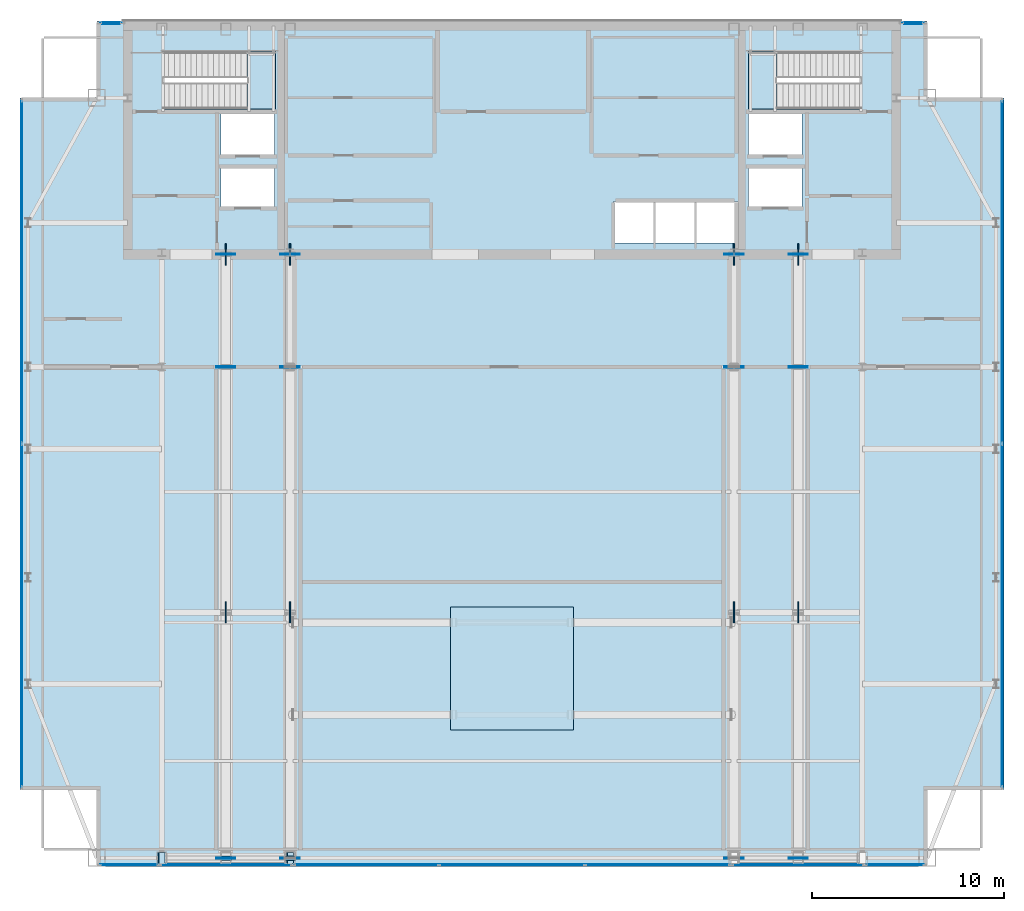
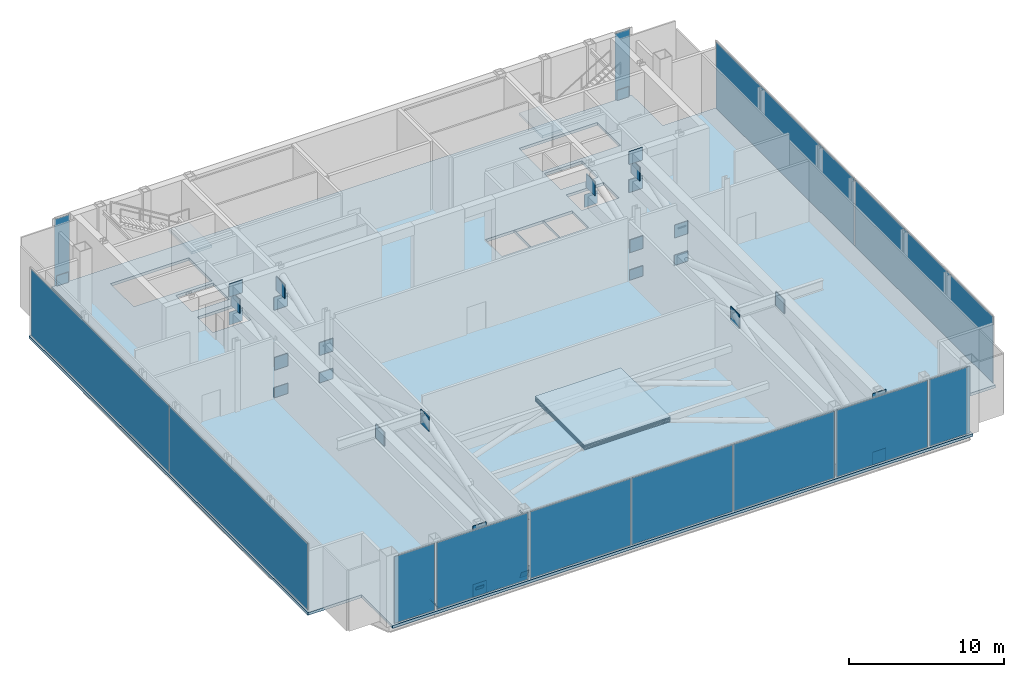
# One storey, part 21 of 26: 52 plates, 3 slabs, 11 elements without a shape of their own.
"""IFC4 building model written with IfcOpenShell, lengths in metres."""

import ifcopenshell
import ifcopenshell.guid

model = None  # the IFC model being written
_history = None  # IfcOwnerHistory: only IFC2X3 demands one
_inside = {}  # id of a spatial element -> (the spatial element, [elements in it])
_under = {}  # id of a project, library or spatial element -> (it, [spatial elements below it])
_declared = {}  # id of a project -> (the project, [libraries it declares])
_typed = {}  # id of a type object -> (the type object, [elements of that type])
_made_of = {}  # id of a material, layer set ... -> (it, [elements and type objects made of it])


def new_model(schema):
    """Start an empty IFC model of exactly this schema.

    Asked for "IFC4X3", IfcOpenShell would pick the latest addendum, in which some entities
    have other attributes; the version numbers below select the first issue.
    IFC2X3 requires an IfcOwnerHistory on every rooted entity: one is made here for all.
    """
    global model, _history
    if schema == "IFC4X3":
        model = ifcopenshell.file(schema_version=(4, 3, 0, 0))
    else:
        model = ifcopenshell.file(schema=schema)
    _inside.clear()
    _under.clear()
    _declared.clear()
    _typed.clear()
    _made_of.clear()
    _history = None
    if model.schema == "IFC2X3":
        org = make("IfcOrganization", Name="unknown")
        user = make(
            "IfcPersonAndOrganization",
            ThePerson=make("IfcPerson", FamilyName="unknown"),
            TheOrganization=org,
        )
        app = make(
            "IfcApplication",
            ApplicationDeveloper=org,
            Version="unknown",
            ApplicationFullName="unknown",
            ApplicationIdentifier="unknown",
        )
        _history = make(
            "IfcOwnerHistory",
            OwningUser=user,
            OwningApplication=app,
            ChangeAction="ADDED",
            CreationDate=0,
        )
    return model


def make(cls, **values):
    """One entity of the class cls with the attributes given. An attribute that is None is left unset."""
    return model.create_entity(
        cls, **{name: value for name, value in values.items() if value is not None}
    )


def rooted(cls, **values):
    """An entity with a GlobalId (a new one), such as an element, a storey or a relation."""
    return make(cls, GlobalId=ifcopenshell.guid.new(), OwnerHistory=_history, **values)


def si_unit(unit_type, name, prefix=None):
    """IfcSIUnit, for example si_unit("LENGTHUNIT", "METRE", prefix="MILLI")."""
    return make("IfcSIUnit", UnitType=unit_type, Prefix=prefix, Name=name)


def assignment(units):
    """IfcUnitAssignment: the units of a project."""
    return None if units is None else make("IfcUnitAssignment", Units=units)


def point(xyz):
    """IfcCartesianPoint."""
    return None if xyz is None else make("IfcCartesianPoint", Coordinates=xyz)


def direction(xyz):
    """IfcDirection."""
    return None if xyz is None else make("IfcDirection", DirectionRatios=xyz)


def frame(location, z_axis=None, x_axis=None):
    """IfcAxis2Placement3D, a coordinate frame: its origin and axes. An axis left out is left unset."""
    return make(
        "IfcAxis2Placement3D",
        Location=point(location),
        Axis=direction(z_axis),
        RefDirection=direction(x_axis),
    )


def frame_2d(location, x_axis=None):
    """IfcAxis2Placement2D, a coordinate frame in the plane: its origin and x axis."""
    return make(
        "IfcAxis2Placement2D", Location=point(location), RefDirection=direction(x_axis)
    )


def origin():
    """The frame at (0, 0, 0) with its axes left unset."""
    return frame((0.0, 0.0, 0.0))


def origin_2d():
    """The frame at (0, 0) in the plane with its x axis left unset."""
    return frame_2d((0.0, 0.0))


def place(relative_to, where):
    """IfcLocalPlacement: puts the frame where relative to a parent placement (None: the world)."""
    return make(
        "IfcLocalPlacement", PlacementRelTo=relative_to, RelativePlacement=where
    )


def context(
    kind, dimensions, precision=None, world=None, true_north=None, identifier=None
):
    """IfcGeometricRepresentationContext, for example the 3D "Model" context."""
    return make(
        "IfcGeometricRepresentationContext",
        ContextIdentifier=identifier,
        ContextType=kind,
        CoordinateSpaceDimension=dimensions,
        Precision=precision,
        WorldCoordinateSystem=world,
        TrueNorth=true_north,
    )


def subcontext(parent, identifier, kind, view, scale=None):
    """IfcGeometricRepresentationSubContext, for example "Body" below "Model"."""
    return make(
        "IfcGeometricRepresentationSubContext",
        ContextIdentifier=identifier,
        ContextType=kind,
        ParentContext=parent,
        TargetScale=scale,
        TargetView=view,
    )


def project(units=None, contexts=None):
    """IfcProject with its units and contexts."""
    return rooted(
        "IfcProject",
        Name="project",
        RepresentationContexts=contexts,
        UnitsInContext=assignment(units),
    )


def spatial(cls, under=None, at=None, **own):
    """A site, building, storey or space (cls), placed at a placement, below another one or the project."""
    s = rooted(cls, ObjectPlacement=at, **own)
    if under is not None:
        _under.setdefault(under.id(), (under, []))[1].append(s)
    return s


def polyline(points):
    """IfcPolyline through the points."""
    return make("IfcPolyline", Points=[point(p) for p in points])


def profile(cls, at=None, kind="AREA", **sizes):
    """A parametric profile (cls). Its sizes go by their IFC names, for example OverallWidth=200.0."""
    return make(cls, ProfileType=kind, Position=at, **sizes)


def rectangle(**sizes):
    """IfcRectangleProfileDef."""
    return profile("IfcRectangleProfileDef", **sizes)


def outline(outer, holes=None, kind="AREA"):
    """IfcArbitraryClosedProfileDef: a profile drawn as a closed curve; with holes, ...WithVoids."""
    if holes is None:
        return make("IfcArbitraryClosedProfileDef", ProfileType=kind, OuterCurve=outer)
    return make(
        "IfcArbitraryProfileDefWithVoids",
        ProfileType=kind,
        OuterCurve=outer,
        InnerCurves=holes,
    )


def extrude(swept, where, along, depth):
    """IfcExtrudedAreaSolid: the profile swept, set in the frame where, extruded along a direction by depth."""
    return make(
        "IfcExtrudedAreaSolid",
        SweptArea=swept,
        Position=where,
        ExtrudedDirection=direction(along),
        Depth=depth,
    )


def shape(context_of_items, identifier, shape_type, items):
    """IfcShapeRepresentation: the items that make up one representation, for example the "Body"."""
    return make(
        "IfcShapeRepresentation",
        ContextOfItems=context_of_items,
        RepresentationIdentifier=identifier,
        RepresentationType=shape_type,
        Items=items,
    )


def material(Name=None, Category=None):
    """IfcMaterial."""
    return make("IfcMaterial", Name=Name, Category=Category)


def layer(
    of_material, thickness, ventilated=None, Name=None, Category=None, Priority=None
):
    """IfcMaterialLayer: one layer of a wall or slab, of a material (None: an air gap)."""
    return make(
        "IfcMaterialLayer",
        Material=of_material,
        LayerThickness=thickness,
        IsVentilated=ventilated,
        Name=Name,
        Category=Category,
        Priority=Priority,
    )


def layer_set(layers, Name=None):
    """IfcMaterialLayerSet."""
    return make("IfcMaterialLayerSet", MaterialLayers=layers, LayerSetName=Name)


def made_of(thing, what):
    """Note that an element or type object is made of a material, layer set ...; save() writes the relation."""
    if what is not None:
        _made_of.setdefault(what.id(), (what, []))[1].append(thing)
    return thing


def type_object(cls, material=None, **own):
    """A type object (cls), such as IfcWallType, which elements share."""
    return made_of(rooted(cls, **own), material)


def element(
    cls,
    number,
    at=None,
    inside=None,
    cuts=None,
    type_object=None,
    material=None,
    context=None,
    identifier="Body",
    shape_type=None,
    held_by="IfcProductDefinitionShape",
    body=None,
    shapes=None,
    **own,
):
    """One element of the class cls, such as IfcWall. Its Tag is "e" and its number.

    at: its placement. inside: the storey or other place that contains it. cuts: it is an
    opening in that element (IfcRelVoidsElement). A single representation is given by context,
    identifier, shape_type and body (its items); several are given by shapes. held_by: the class
    of the entity that holds the representations. save() writes the other relations.
    """
    e = rooted(cls, Tag="e%d" % number, ObjectPlacement=at, **own)
    if body is not None:
        shapes = [shape(context, identifier, shape_type, body)]
    if shapes is not None:
        e.Representation = make(held_by, Representations=shapes)
    if inside is not None:
        _inside.setdefault(inside.id(), (inside, []))[1].append(e)
    if cuts is not None:
        rooted(
            "IfcRelVoidsElement", RelatingBuildingElement=cuts, RelatedOpeningElement=e
        )
    if type_object is not None:
        _typed.setdefault(type_object.id(), (type_object, []))[1].append(e)
    return made_of(e, material)


def aggregate(whole, parts):
    """IfcRelAggregates: a whole, such as a stair, and the parts it consists of."""
    return rooted("IfcRelAggregates", RelatingObject=whole, RelatedObjects=parts)


def save(model, path):
    """Write the relations noted so far, then the file.

    IfcRelAggregates (storeys below a building ...), IfcRelContainedInSpatialStructure (elements
    in a storey), IfcRelDefinesByType, IfcRelAssociatesMaterial and IfcRelDeclares: one each for
    every whole, place, type object, material and project.
    """
    for whole, parts in _under.values():
        aggregate(whole, parts)
    for where, things in _inside.values():
        rooted(
            "IfcRelContainedInSpatialStructure",
            RelatedElements=things,
            RelatingStructure=where,
        )
    for kind, things in _typed.values():
        rooted("IfcRelDefinesByType", RelatedObjects=things, RelatingType=kind)
    for what, things in _made_of.values():
        rooted("IfcRelAssociatesMaterial", RelatedObjects=things, RelatingMaterial=what)
    for by, libraries in _declared.values():
        rooted("IfcRelDeclares", RelatingContext=by, RelatedDefinitions=libraries)
    model.write(path)


model = new_model("IFC4")

# Units and contexts
model_context = context("Model", 3, precision=1e-05, world=origin(), true_north=direction((0.0, 1.0)))
body_context = subcontext(model_context, "Body", "Model", "MODEL_VIEW")
ifc_project = project(units=[si_unit("LENGTHUNIT", "METRE"), si_unit("AREAUNIT", "SQUARE_METRE"), si_unit("VOLUMEUNIT", "CUBIC_METRE"), si_unit("PLANEANGLEUNIT", "RADIAN"), si_unit("MASSUNIT", "GRAM", prefix="KILO")], contexts=[model_context])

# Site, building, storey
site_placement = place(None, origin())
site = spatial("IfcSite", under=ifc_project, at=site_placement, CompositionType="ELEMENT")
building_placement = place(site_placement, origin())
building = spatial("IfcBuilding", under=site, at=building_placement, Name="Khoronbel Lancet Exchange", CompositionType="ELEMENT")
storey_placement = place(building_placement, frame((0.0, 0.0, 350.60009765625)))
storey = spatial("IfcBuildingStorey", under=building, at=storey_placement, Name="L91", CompositionType="ELEMENT", Elevation=350.60009765625)

# Curtain wall, plate
ifc_material_1 = material(Name="Low-E Solar Control Insulating Glass", Category="glass")
curtain_wall_type = type_object("IfcCurtainWallType", Name="CW-6", PredefinedType="NOTDEFINED", material=ifc_material_1)
curtain_wall_1_placement = place(storey_placement, origin())
curtain_wall_1 = element("IfcCurtainWall", 1, at=curtain_wall_1_placement, inside=storey, type_object=curtain_wall_type, Name="Unitised curtain wall CW-L91-NWFLK", PredefinedType="NOTDEFINED")
ifc_material_2 = material(Name="Bronze-Anodised Aluminium 6063-T6", Category="aluminium")
ifc_layer_1 = layer(ifc_material_2, 0.050048828125, Name="Bronze-Anodised Aluminium 6063-T6")
ifc_layer_set_1 = layer_set([ifc_layer_1], Name="Bronze-Anodised Aluminium 6063-T6")
plate_type_1 = type_object("IfcPlateType", Name="PLT-CSP1", PredefinedType="SHEET", material=ifc_layer_set_1)
plate_1_placement = place(storey_placement, frame((15.580078125, 53.550048828125, 0.0498046875), z_axis=(0.0, 0.0, 1.0), x_axis=(-1.0, 0.0, 0.0)))
plate_1 = element("IfcPlate", 2, at=plate_1_placement, type_object=plate_type_1, Name="Insulated bronze spandrel cassette CW-L91-NWFLK", PredefinedType="SHEET", context=body_context, shape_type="SweptSolid", body=[
    extrude(rectangle(XDim=0.89599609375, YDim=0.050048828125, at=origin_2d()), origin(), (0.0, 0.0, 1.0), 0.800048828125),
])

curtain_wall_2_placement = place(storey_placement, origin())
curtain_wall_2 = element("IfcCurtainWall", 3, at=curtain_wall_2_placement, inside=storey, type_object=curtain_wall_type, Name="Unitised curtain wall CW-L91-NEFLK", PredefinedType="NOTDEFINED")
plate_2_placement = place(storey_placement, frame((57.320068359375, 53.550048828125, 0.0498046875), z_axis=(0.0, 0.0, 1.0), x_axis=(-1.0, 0.0, 0.0)))
plate_2 = element("IfcPlate", 4, at=plate_2_placement, type_object=plate_type_1, Name="Insulated bronze spandrel cassette CW-L91-NEFLK", PredefinedType="SHEET", context=body_context, shape_type="SweptSolid", body=[
    extrude(rectangle(XDim=0.89599609375, YDim=0.050048828125, at=origin_2d()), origin(), (0.0, 0.0, 1.0), 0.800048828125),
])

curtain_wall_3_placement = place(storey_placement, origin())
curtain_wall_3 = element("IfcCurtainWall", 5, at=curtain_wall_3_placement, inside=storey, type_object=curtain_wall_type, Name="Unitised curtain wall CW-L91-SW-BLT", PredefinedType="NOTDEFINED")
plate_3_placement = place(storey_placement, frame((21.574951171875, 9.7900390625, 0.074951171875), z_axis=(0.0, 0.0, 1.0), x_axis=(1.0, 0.0, 0.0)))
plate_3 = element("IfcPlate", 6, at=plate_3_placement, type_object=plate_type_1, Name="CW6 panel 1.1", PredefinedType="CURTAIN_PANEL", context=body_context, shape_type="SweptSolid", body=[
    extrude(rectangle(XDim=6.800048828125, YDim=0.0380859375, at=origin_2d()), origin(), (0.0, 0.0, 1.0), 5.25),
])
aggregate(curtain_wall_3, [plate_3])

curtain_wall_4_placement = place(storey_placement, origin())
curtain_wall_4 = element("IfcCurtainWall", 7, at=curtain_wall_4_placement, inside=storey, type_object=curtain_wall_type, Name="Unitised curtain wall CW-L91-SE-BLT", PredefinedType="NOTDEFINED")
plate_4_placement = place(storey_placement, frame((51.324951171875, 9.7900390625, 0.074951171875), z_axis=(0.0, 0.0, 1.0), x_axis=(1.0, 0.0, 0.0)))
plate_4 = element("IfcPlate", 8, at=plate_4_placement, type_object=plate_type_1, Name="CW6 panel 1.1", PredefinedType="CURTAIN_PANEL", context=body_context, shape_type="SweptSolid", body=[
    extrude(rectangle(XDim=6.800048828125, YDim=0.0380859375, at=origin_2d()), origin(), (0.0, 0.0, 1.0), 5.25),
])
aggregate(curtain_wall_4, [plate_4])

# Curtain wall, plates
curtain_wall_5_placement = place(storey_placement, origin())
curtain_wall_5 = element("IfcCurtainWall", 9, at=curtain_wall_5_placement, inside=storey, type_object=curtain_wall_type, Name="Unitised curtain wall CW-L91-E03", PredefinedType="NOTDEFINED")
ifc_material_3 = material(Name="Ceramic-Fritted Laminated Insulating Glass", Category="glass")
ifc_layer_2 = layer(ifc_material_3, 0.0419921875, Name="Ceramic-Fritted Laminated Insulating Glass")
ifc_layer_set_2 = layer_set([ifc_layer_2], Name="Ceramic-Fritted Laminated Insulating Glass")
plate_type_2 = type_object("IfcPlateType", Name="PLT-CWP2", PredefinedType="CURTAIN_PANEL", material=ifc_layer_set_2)
plate_5_placement = place(storey_placement, frame((10.93994140625, 22.763671875, 0.0849609375), z_axis=(0.0, 0.0, 1.0), x_axis=(0.0, 1.0, 0.0)))
plate_5 = element("IfcPlate", 10, at=plate_5_placement, type_object=plate_type_2, Name="CW6 panel 1.1", PredefinedType="CURTAIN_PANEL", context=body_context, shape_type="SweptSolid", body=[
    extrude(rectangle(XDim=17.797607421875, YDim=0.0380859375, at=origin_2d()), origin(), (0.0, 0.0, 1.0), 5.22998046875),
])
plate_6_placement = place(storey_placement, frame((10.93994140625, 40.63623046875, 0.0849609375), z_axis=(0.0, 0.0, 1.0), x_axis=(0.0, 1.0, 0.0)))
plate_6 = element("IfcPlate", 11, at=plate_6_placement, type_object=plate_type_2, Name="CW6 panel 2.1", PredefinedType="CURTAIN_PANEL", context=body_context, shape_type="SweptSolid", body=[
    extrude(rectangle(XDim=17.797607421875, YDim=0.0380859375, at=origin_2d()), origin(), (0.0, 0.0, 1.0), 5.22998046875),
])
aggregate(curtain_wall_5, [plate_5, plate_6])

# Plate
plate_7_placement = place(storey_placement, frame((15.580078125, 53.610107421875, 0.0849609375), z_axis=(0.0, 0.0, 1.0), x_axis=(-1.0, 0.0, 0.0)))
plate_7 = element("IfcPlate", 12, at=plate_7_placement, type_object=plate_type_2, Name="CW6 panel 1.1", PredefinedType="CURTAIN_PANEL", context=body_context, shape_type="SweptSolid", body=[
    extrude(rectangle(XDim=1.110107421875, YDim=0.0380859375, at=origin_2d()), origin(), (0.0, 0.0, 1.0), 5.22998046875),
])

aggregate(curtain_wall_1, [plate_7, plate_1])

plate_8_placement = place(storey_placement, frame((57.320068359375, 53.610107421875, 0.0849609375), z_axis=(0.0, 0.0, 1.0), x_axis=(-1.0, 0.0, 0.0)))
plate_8 = element("IfcPlate", 13, at=plate_8_placement, type_object=plate_type_2, Name="CW6 panel 1.1", PredefinedType="CURTAIN_PANEL", context=body_context, shape_type="SweptSolid", body=[
    extrude(rectangle(XDim=1.110107421875, YDim=0.0380859375, at=origin_2d()), origin(), (0.0, 0.0, 1.0), 5.22998046875),
])

aggregate(curtain_wall_2, [plate_8, plate_2])

# Curtain wall, plates
curtain_wall_6_placement = place(storey_placement, origin())
curtain_wall_6 = element("IfcCurtainWall", 14, at=curtain_wall_6_placement, inside=storey, type_object=curtain_wall_type, Name="Unitised curtain wall CW-L91-E09", PredefinedType="NOTDEFINED")
plate_9_placement = place(storey_placement, frame((61.9599609375, 40.63623046875, 0.0849609375), z_axis=(0.0, 0.0, 1.0), x_axis=(0.0, -1.0, 0.0)))
plate_9 = element("IfcPlate", 15, at=plate_9_placement, type_object=plate_type_2, Name="CW6 panel 1.1", PredefinedType="CURTAIN_PANEL", context=body_context, shape_type="SweptSolid", body=[
    extrude(rectangle(XDim=17.797607421875, YDim=0.0380859375, at=origin_2d()), origin(), (0.0, 0.0, 1.0), 5.22998046875),
])
plate_10_placement = place(storey_placement, frame((61.9599609375, 22.763671875, 0.0849609375), z_axis=(0.0, 0.0, 1.0), x_axis=(0.0, -1.0, 0.0)))
plate_10 = element("IfcPlate", 16, at=plate_10_placement, type_object=plate_type_2, Name="CW6 panel 2.1", PredefinedType="CURTAIN_PANEL", context=body_context, shape_type="SweptSolid", body=[
    extrude(rectangle(XDim=17.797607421875, YDim=0.0380859375, at=origin_2d()), origin(), (0.0, 0.0, 1.0), 5.22998046875),
])
aggregate(curtain_wall_6, [plate_9, plate_10])

# Curtain wall, plate
curtain_wall_7_placement = place(storey_placement, origin())
curtain_wall_7 = element("IfcCurtainWall", 17, at=curtain_wall_7_placement, inside=storey, type_object=curtain_wall_type, Name="Unitised curtain wall CW-L91-SW-GLZ", PredefinedType="NOTDEFINED")
plate_11_placement = place(storey_placement, frame((16.52001953125, 9.7900390625, 0.074951171875), z_axis=(0.0, 0.0, 1.0), x_axis=(1.0, 0.0, 0.0)))
plate_11 = element("IfcPlate", 18, at=plate_11_placement, type_object=plate_type_2, Name="CW6 panel 1.1", PredefinedType="CURTAIN_PANEL", context=body_context, shape_type="SweptSolid", body=[
    extrude(rectangle(XDim=3.010009765625, YDim=0.0380859375, at=origin_2d()), origin(), (0.0, 0.0, 1.0), 5.25),
])
aggregate(curtain_wall_7, [plate_11])

# Curtain wall, plates
curtain_wall_8_placement = place(storey_placement, origin())
curtain_wall_8 = element("IfcCurtainWall", 19, at=curtain_wall_8_placement, inside=storey, type_object=curtain_wall_type, Name="Unitised curtain wall CW-L91-SC-TMD", PredefinedType="NOTDEFINED")
plate_12_placement = place(storey_placement, frame((28.86865234375, 9.7900390625, 0.074951171875), z_axis=(0.0, 0.0, 1.0), x_axis=(1.0, 0.0, 0.0)))
plate_12 = element("IfcPlate", 20, at=plate_12_placement, type_object=plate_type_2, Name="CW6 panel 1.1", PredefinedType="CURTAIN_PANEL", context=body_context, shape_type="SweptSolid", body=[
    extrude(rectangle(XDim=7.487548828125, YDim=0.0380859375, at=origin_2d()), origin(), (0.0, 0.0, 1.0), 5.25),
])
plate_13_placement = place(storey_placement, frame((36.449951171875, 9.7900390625, 0.074951171875), z_axis=(0.0, 0.0, 1.0), x_axis=(1.0, 0.0, 0.0)))
plate_13 = element("IfcPlate", 21, at=plate_13_placement, type_object=plate_type_2, Name="CW6 panel 2.1", PredefinedType="CURTAIN_PANEL", context=body_context, shape_type="SweptSolid", body=[
    extrude(rectangle(XDim=7.52490234375, YDim=0.0380859375, at=origin_2d()), origin(), (0.0, 0.0, 1.0), 5.25),
])
plate_14_placement = place(storey_placement, frame((44.03125, 9.7900390625, 0.074951171875), z_axis=(0.0, 0.0, 1.0), x_axis=(1.0, 0.0, 0.0)))
plate_14 = element("IfcPlate", 22, at=plate_14_placement, type_object=plate_type_2, Name="CW6 panel 3.1", PredefinedType="CURTAIN_PANEL", context=body_context, shape_type="SweptSolid", body=[
    extrude(rectangle(XDim=7.487548828125, YDim=0.0380859375, at=origin_2d()), origin(), (0.0, 0.0, 1.0), 5.25),
])
aggregate(curtain_wall_8, [plate_12, plate_13, plate_14])

# Curtain wall, plate
curtain_wall_9_placement = place(storey_placement, origin())
curtain_wall_9 = element("IfcCurtainWall", 23, at=curtain_wall_9_placement, inside=storey, type_object=curtain_wall_type, Name="Unitised curtain wall CW-L91-SE-GLZ", PredefinedType="NOTDEFINED")
plate_15_placement = place(storey_placement, frame((56.3798828125, 9.7900390625, 0.074951171875), z_axis=(0.0, 0.0, 1.0), x_axis=(1.0, 0.0, 0.0)))
plate_15 = element("IfcPlate", 24, at=plate_15_placement, type_object=plate_type_2, Name="CW6 panel 1.1", PredefinedType="CURTAIN_PANEL", context=body_context, shape_type="SweptSolid", body=[
    extrude(rectangle(XDim=3.010009765625, YDim=0.0380859375, at=origin_2d()), origin(), (0.0, 0.0, 1.0), 5.25),
])
aggregate(curtain_wall_9, [plate_15])

# Plates
ifc_material_4 = material(Name="Steel S460", Category="steel")
ifc_layer_3 = layer(ifc_material_4, 0.044921875, Name="Steel S460")
ifc_layer_set_3 = layer_set([ifc_layer_3], Name="Steel S460")
plate_type_3 = type_object("IfcPlateType", Name="PLT-ECP1", PredefinedType="USERDEFINED", material=ifc_layer_set_3)
for number, where, z_axis, x_axis, name in (
    (25, (21.5625, 10.139892578125, -0.2001953125), (0.0, 0.0, 1.0), (0.0, -1.0, 0.0), "Hollow end cap plate PLT-CAP-MEM-L91-OCH1-BOT-S"),
    (26, (21.5625, 35.7099609375, -0.2001953125), (0.0, 0.0, 1.0), (0.0, 1.0, 0.0), "Hollow end cap plate PLT-CAP-MEM-L91-OCH1-BOT-N"),
    (27, (21.5625, 35.68994140625, 2.179931640625), (0.0, 0.0, 1.0), (0.0, -1.0, 0.0), "Hollow end cap plate PLT-CAP-MEM-L91-OCH1-COR-S"),
    (28, (21.5625, 41.56005859375, 2.179931640625), (0.0, 0.0, 1.0), (0.0, 1.0, 0.0), "Hollow end cap plate PLT-CAP-MEM-L91-OCH1-COR-N"),
    (29, (21.5625, 10.139892578125, 4.39990234375), (0.0, 0.0, 1.0), (0.0, -1.0, 0.0), "Hollow end cap plate PLT-CAP-MEM-L91-OCH1-TOP-S"),
    (30, (21.5625, 41.56005859375, 4.39990234375), (0.0, 0.0, 1.0), (0.0, 1.0, 0.0), "Hollow end cap plate PLT-CAP-MEM-L91-OCH1-TOP-N"),
):
    element("IfcPlate", number, at=place(storey_placement, frame(where, z_axis=z_axis, x_axis=x_axis)), inside=storey, type_object=plate_type_3, Name=name, ObjectType="STIFFENER_PLATE", PredefinedType="USERDEFINED", context=body_context, shape_type="SweptSolid", body=[
        extrude(rectangle(XDim=0.044921875, YDim=1.0, at=origin_2d()), origin(), (0.0, 0.0, 1.0), 1.0),
    ])
plate_16_placement = place(storey_placement, frame((21.8525390625, 10.259521484375, 0.031005859375), z_axis=(0.0, 0.940882047597, 0.338734368656), x_axis=(-1.0, 0.0, 0.0)))
element("IfcPlate", 31, at=plate_16_placement, inside=storey, type_object=plate_type_3, Name="Hollow end cap plate PLT-CAP-MEM-L91-OBR1-1-0", ObjectType="STIFFENER_PLATE", PredefinedType="USERDEFINED", context=body_context, shape_type="SweptSolid", body=[
    extrude(outline(polyline([(0.0, 0.0), (0.580078125, 0.0), (0.580078125, 0.580078125), (0.0, 0.580078125), (0.0, 0.0)])), origin(), (0.0, 0.0, -1.0), 0.044921875),
])
for number, where, z_axis, x_axis, name in (
    (32, (24.89990234375, 10.139892578125, -0.2001953125), (0.0, 0.0, 1.0), (0.0, -1.0, 0.0), "Hollow end cap plate PLT-CAP-MEM-L91-OCH2-BOT-S"),
    (33, (24.89990234375, 35.7099609375, -0.2001953125), (0.0, 0.0, 1.0), (0.0, 1.0, 0.0), "Hollow end cap plate PLT-CAP-MEM-L91-OCH2-BOT-N"),
    (34, (24.89990234375, 35.68994140625, 2.179931640625), (0.0, 0.0, 1.0), (0.0, -1.0, 0.0), "Hollow end cap plate PLT-CAP-MEM-L91-OCH2-COR-S"),
    (35, (24.89990234375, 41.56005859375, 2.179931640625), (0.0, 0.0, 1.0), (0.0, 1.0, 0.0), "Hollow end cap plate PLT-CAP-MEM-L91-OCH2-COR-N"),
):
    element("IfcPlate", number, at=place(storey_placement, frame(where, z_axis=z_axis, x_axis=x_axis)), inside=storey, type_object=plate_type_3, Name=name, ObjectType="STIFFENER_PLATE", PredefinedType="USERDEFINED", context=body_context, shape_type="SweptSolid", body=[
        extrude(rectangle(XDim=0.044921875, YDim=1.0, at=origin_2d()), origin(), (0.0, 0.0, 1.0), 1.0),
    ])
plate_17_placement = place(storey_placement, frame((25.18994140625, 10.259521484375, 0.031005859375), z_axis=(0.0, 0.940882047597, 0.338734368656), x_axis=(-1.0, 0.0, 0.0)))
element("IfcPlate", 36, at=plate_17_placement, inside=storey, type_object=plate_type_3, Name="Hollow end cap plate PLT-CAP-MEM-L91-OBR2-1-0", ObjectType="STIFFENER_PLATE", PredefinedType="USERDEFINED", context=body_context, shape_type="SweptSolid", body=[
    extrude(outline(polyline([(0.0, 0.0), (0.579833984375, 0.0), (0.579833984375, 0.580078125), (0.0, 0.580078125), (0.0, 0.0)])), origin(), (0.0, 0.0, -1.0), 0.044921875),
])
for number, where, z_axis, x_axis, name in (
    (37, (48.0, 10.139892578125, -0.2001953125), (0.0, 0.0, 1.0), (0.0, -1.0, 0.0), "Hollow end cap plate PLT-CAP-MEM-L91-OCH3-BOT-S"),
    (38, (48.0, 35.7099609375, -0.2001953125), (0.0, 0.0, 1.0), (0.0, 1.0, 0.0), "Hollow end cap plate PLT-CAP-MEM-L91-OCH3-BOT-N"),
    (39, (48.0, 35.68994140625, 2.179931640625), (0.0, 0.0, 1.0), (0.0, -1.0, 0.0), "Hollow end cap plate PLT-CAP-MEM-L91-OCH3-COR-S"),
    (40, (48.0, 41.56005859375, 2.179931640625), (0.0, 0.0, 1.0), (0.0, 1.0, 0.0), "Hollow end cap plate PLT-CAP-MEM-L91-OCH3-COR-N"),
    (41, (51.33740234375, 10.139892578125, -0.2001953125), (0.0, 0.0, 1.0), (0.0, -1.0, 0.0), "Hollow end cap plate PLT-CAP-MEM-L91-OCH4-BOT-S"),
    (42, (51.33740234375, 35.7099609375, -0.2001953125), (0.0, 0.0, 1.0), (0.0, 1.0, 0.0), "Hollow end cap plate PLT-CAP-MEM-L91-OCH4-BOT-N"),
    (43, (51.33740234375, 35.68994140625, 2.179931640625), (0.0, 0.0, 1.0), (0.0, -1.0, 0.0), "Hollow end cap plate PLT-CAP-MEM-L91-OCH4-COR-S"),
    (44, (51.33740234375, 41.56005859375, 2.179931640625), (0.0, 0.0, 1.0), (0.0, 1.0, 0.0), "Hollow end cap plate PLT-CAP-MEM-L91-OCH4-COR-N"),
    (45, (51.33740234375, 10.139892578125, 4.39990234375), (0.0, 0.0, 1.0), (0.0, -1.0, 0.0), "Hollow end cap plate PLT-CAP-MEM-L91-OCH4-TOP-S"),
    (46, (51.33740234375, 41.56005859375, 4.39990234375), (0.0, 0.0, 1.0), (0.0, 1.0, 0.0), "Hollow end cap plate PLT-CAP-MEM-L91-OCH4-TOP-N"),
):
    element("IfcPlate", number, at=place(storey_placement, frame(where, z_axis=z_axis, x_axis=x_axis)), inside=storey, type_object=plate_type_3, Name=name, ObjectType="STIFFENER_PLATE", PredefinedType="USERDEFINED", context=body_context, shape_type="SweptSolid", body=[
        extrude(rectangle(XDim=0.044921875, YDim=1.0, at=origin_2d()), origin(), (0.0, 0.0, 1.0), 1.0),
    ])
for number, where, z_axis, x_axis, name in (
    (47, (18.3994140625, 9.860107421875, 0.06787109375), (0.823402698751, 0.0, 0.567457483597), (0.0, 1.0, 0.0), "Hollow end cap plate PLT-CAP-MEM-L91-BELT-1-0"),
    (48, (25.091796875, 9.860107421875, 4.679931640625), (0.823402698751, 0.0, 0.567457483597), (0.0, 1.0, 0.0), "Hollow end cap plate PLT-CAP-MEM-L91-BELT-1-1"),
):
    element("IfcPlate", number, at=place(storey_placement, frame(where, z_axis=z_axis, x_axis=x_axis)), inside=storey, type_object=plate_type_3, Name=name, ObjectType="STIFFENER_PLATE", PredefinedType="USERDEFINED", context=body_context, shape_type="SweptSolid", body=[
        extrude(outline(polyline([(0.0, 0.0), (0.579833984375, 0.0), (0.579833984375, 0.580078125), (0.0, 0.580078125), (0.0, 0.0)])), origin(), (0.0, 0.0, -1.0), 0.044921875),
    ])
ifc_layer_4 = layer(ifc_material_4, 0.06005859375, Name="Steel S460")
ifc_layer_set_4 = layer_set([ifc_layer_4], Name="Steel S460")
plate_type_4 = type_object("IfcPlateType", Name="PLT-ND5", PredefinedType="USERDEFINED", material=ifc_layer_set_4)
for number, where, z_axis, x_axis, name in (
    (49, (21.5625, 22.925048828125, 4.099853515625), (0.0, 0.0, 1.0), (1.0, 0.0, 0.0), "ND5 outrigger apex node gusset L91-1"),
    (50, (21.5625, 41.550048828125, 3.23974609375), (0.0, 0.0, 1.0), (1.0, 0.0, 0.0), "ND5 outrigger core embed node gusset L91-1"),
    (51, (24.89990234375, 22.925048828125, 4.099853515625), (0.0, 0.0, 1.0), (1.0, 0.0, 0.0), "ND5 outrigger apex node gusset L91-2"),
    (52, (24.89990234375, 41.550048828125, 3.23974609375), (0.0, 0.0, 1.0), (1.0, 0.0, 0.0), "ND5 outrigger core embed node gusset L91-2"),
    (53, (48.0, 22.925048828125, 4.099853515625), (0.0, 0.0, 1.0), (1.0, 0.0, 0.0), "ND5 outrigger apex node gusset L91-3"),
    (54, (48.0, 41.550048828125, 3.23974609375), (0.0, 0.0, 1.0), (1.0, 0.0, 0.0), "ND5 outrigger core embed node gusset L91-3"),
    (55, (51.33740234375, 22.925048828125, 4.099853515625), (0.0, 0.0, 1.0), (1.0, 0.0, 0.0), "ND5 outrigger apex node gusset L91-4"),
    (56, (51.33740234375, 41.550048828125, 3.23974609375), (0.0, 0.0, 1.0), (1.0, 0.0, 0.0), "ND5 outrigger core embed node gusset L91-4"),
):
    element("IfcPlate", number, at=place(storey_placement, frame(where, z_axis=z_axis, x_axis=x_axis)), inside=storey, type_object=plate_type_4, Name=name, ObjectType="GUSSET_PLATE", PredefinedType="USERDEFINED", context=body_context, shape_type="SweptSolid", body=[
        extrude(rectangle(XDim=0.06005859375, YDim=1.10009765625, at=origin_2d()), origin(), (0.0, 0.0, 1.0), 1.10009765625),
    ])
ifc_layer_5 = layer(ifc_material_4, 0.080078125, Name="Steel S460")
ifc_layer_set_5 = layer_set([ifc_layer_5], Name="Steel S460")
plate_type_5 = type_object("IfcPlateType", Name="PLT-TMD1", PredefinedType="USERDEFINED", material=ifc_layer_set_5)
for number, where, name in (
    (57, (0.0, 0.0, 3.0498046875), "Tuned mass damper steel inertia plate 1"),
    (58, (0.0, 0.0, 3.1298828125), "Tuned mass damper steel inertia plate 2"),
):
    element("IfcPlate", number, at=place(storey_placement, frame(where)), inside=storey, type_object=plate_type_5, Name=name, ObjectType="STIFFENER_PLATE", PredefinedType="USERDEFINED", context=body_context, shape_type="SweptSolid", body=[
        extrude(outline(polyline([(33.25, 16.800048828125), (39.64990234375, 16.800048828125), (39.64990234375, 23.199951171875), (33.25, 23.199951171875), (33.25, 16.800048828125)])), origin(), (0.0, 0.0, 1.0), 0.080078125),
    ])
plate_18_placement = place(storey_placement, frame((0.0, 0.0, 3.2099609375)))
element("IfcPlate", 59, at=plate_18_placement, inside=storey, type_object=plate_type_5, Name="Tuned mass damper steel inertia plate 3", ObjectType="STIFFENER_PLATE", PredefinedType="USERDEFINED", context=body_context, shape_type="SweptSolid", body=[
    extrude(outline(polyline([(33.25, 16.800048828125), (39.64990234375, 16.800048828125), (39.64990234375, 23.199951171875), (33.25, 23.199951171875), (33.25, 16.800048828125)])), origin(), (0.0, 0.0, 1.0), 0.079833984375),
])
for number, where, name in (
    (60, (0.0, 0.0, 3.289794921875), "Tuned mass damper steel inertia plate 4"),
    (61, (0.0, 0.0, 3.369873046875), "Tuned mass damper steel inertia plate 5"),
):
    element("IfcPlate", number, at=place(storey_placement, frame(where)), inside=storey, type_object=plate_type_5, Name=name, ObjectType="STIFFENER_PLATE", PredefinedType="USERDEFINED", context=body_context, shape_type="SweptSolid", body=[
        extrude(outline(polyline([(33.25, 16.800048828125), (39.64990234375, 16.800048828125), (39.64990234375, 23.199951171875), (33.25, 23.199951171875), (33.25, 16.800048828125)])), origin(), (0.0, 0.0, 1.0), 0.080078125),
    ])

# Slab
ifc_material_5 = material(Name="Concrete C40/50", Category="concrete")
ifc_layer_6 = layer(ifc_material_5, 0.219970703125, Name="Concrete C40/50")
ifc_layer_set_6 = layer_set([ifc_layer_6], Name="Concrete C40/50")
slab_type_1 = type_object("IfcSlabType", Name="SL-FL220", PredefinedType="FLOOR", material=ifc_layer_set_6)
slab_1_placement = place(storey_placement, frame((0.0, 0.0, -0.22021484375)))
element("IfcSlab", 62, at=slab_1_placement, inside=storey, type_object=slab_type_1, Name="Level L91 composite structural floor slab", PredefinedType="FLOOR", context=body_context, shape_type="SweptSolid", body=[
    extrude(outline(polyline([(14.85009765625, 9.699951171875), (58.050048828125, 9.699951171875), (58.050048828125, 13.699951171875), (62.050048828125, 13.699951171875), (62.050048828125, 17.699951171875), (62.050048828125, 45.699951171875), (62.050048828125, 49.699951171875), (58.050048828125, 49.699951171875), (58.050048828125, 53.699951171875), (14.85009765625, 53.699951171875), (14.85009765625, 49.699951171875), (10.85009765625, 49.699951171875), (10.85009765625, 45.699951171875), (10.85009765625, 17.699951171875), (10.85009765625, 13.699951171875), (14.85009765625, 13.699951171875), (14.85009765625, 9.699951171875)]), holes=[polyline([(18.324951171875, 49.1201171875), (24.14990234375, 49.1201171875), (24.14990234375, 52.10009765625), (18.324951171875, 52.10009765625), (18.324951171875, 49.1201171875)]), polyline([(48.75, 49.1201171875), (54.574951171875, 49.1201171875), (54.574951171875, 52.10009765625), (48.75, 52.10009765625), (48.75, 49.1201171875)]), polyline([(41.739990234375, 42.14990234375), (43.8798828125, 42.14990234375), (43.8798828125, 44.300048828125), (41.739990234375, 44.300048828125), (41.739990234375, 42.14990234375)]), polyline([(43.89990234375, 42.14990234375), (46.0400390625, 42.14990234375), (46.0400390625, 44.300048828125), (43.89990234375, 44.300048828125), (43.89990234375, 42.14990234375)]), polyline([(46.06005859375, 42.14990234375), (48.199951171875, 42.14990234375), (48.199951171875, 44.300048828125), (46.06005859375, 44.300048828125), (46.06005859375, 42.14990234375)]), polyline([(21.300048828125, 46.75), (24.10009765625, 46.75), (24.10009765625, 48.85009765625), (21.300048828125, 48.85009765625), (21.300048828125, 46.75)]), polyline([(48.75, 46.75), (51.550048828125, 46.75), (51.550048828125, 48.85009765625), (48.75, 48.85009765625), (48.75, 46.75)]), polyline([(21.300048828125, 44.050048828125), (24.10009765625, 44.050048828125), (24.10009765625, 46.050048828125), (21.300048828125, 46.050048828125), (21.300048828125, 44.050048828125)]), polyline([(48.75, 44.050048828125), (51.550048828125, 44.050048828125), (51.550048828125, 46.050048828125), (48.75, 46.050048828125), (48.75, 44.050048828125)])]), origin(), (0.0, 0.0, 1.0), 0.22021484375),
])

# Stair, slab
stair_type = type_object("IfcStairType", Name="STR-CRN135", PredefinedType="HALF_TURN_STAIR", material=ifc_material_5)
stair_1_placement = place(storey_placement, origin())
stair_1 = element("IfcStair", 63, at=stair_1_placement, inside=storey, type_object=stair_type, Name="L91 Protected Exit Stair ST1", PredefinedType="HALF_TURN_STAIR")
ifc_layer_7 = layer(ifc_material_5, 0.199951171875, Name="Concrete C40/50")
ifc_layer_set_7 = layer_set([ifc_layer_7], Name="Concrete C40/50")
slab_type_2 = type_object("IfcSlabType", Name="SL-LND180", PredefinedType="LANDING", material=ifc_layer_set_7)
slab_2_placement = place(storey_placement, frame((0.0, 0.0, 2.599853515625)))
slab_2 = element("IfcSlab", 64, at=slab_2_placement, type_object=slab_type_2, Name="ST1 landing 1", PredefinedType="LANDING", context=body_context, shape_type="SweptSolid", body=[
    extrude(outline(polyline([(22.64990234375, 49.1201171875), (24.14990234375, 49.1201171875), (24.14990234375, 52.10009765625), (22.64990234375, 52.10009765625), (22.64990234375, 49.1201171875)])), origin(), (0.0, 0.0, 1.0), 0.199951171875),
])
aggregate(stair_1, [slab_2])

stair_2_placement = place(storey_placement, origin())
stair_2 = element("IfcStair", 65, at=stair_2_placement, inside=storey, type_object=stair_type, Name="L91 Protected Exit Stair ST2", PredefinedType="HALF_TURN_STAIR")
slab_3_placement = place(storey_placement, frame((0.0, 0.0, 2.599853515625)))
slab_3 = element("IfcSlab", 66, at=slab_3_placement, type_object=slab_type_2, Name="ST2 landing 1", PredefinedType="LANDING", context=body_context, shape_type="SweptSolid", body=[
    extrude(outline(polyline([(50.25, 52.10009765625), (48.75, 52.10009765625), (48.75, 49.1201171875), (50.25, 49.1201171875), (50.25, 52.10009765625)])), origin(), (0.0, 0.0, 1.0), 0.199951171875),
])
aggregate(stair_2, [slab_3])

save(model, "model.ifc")
